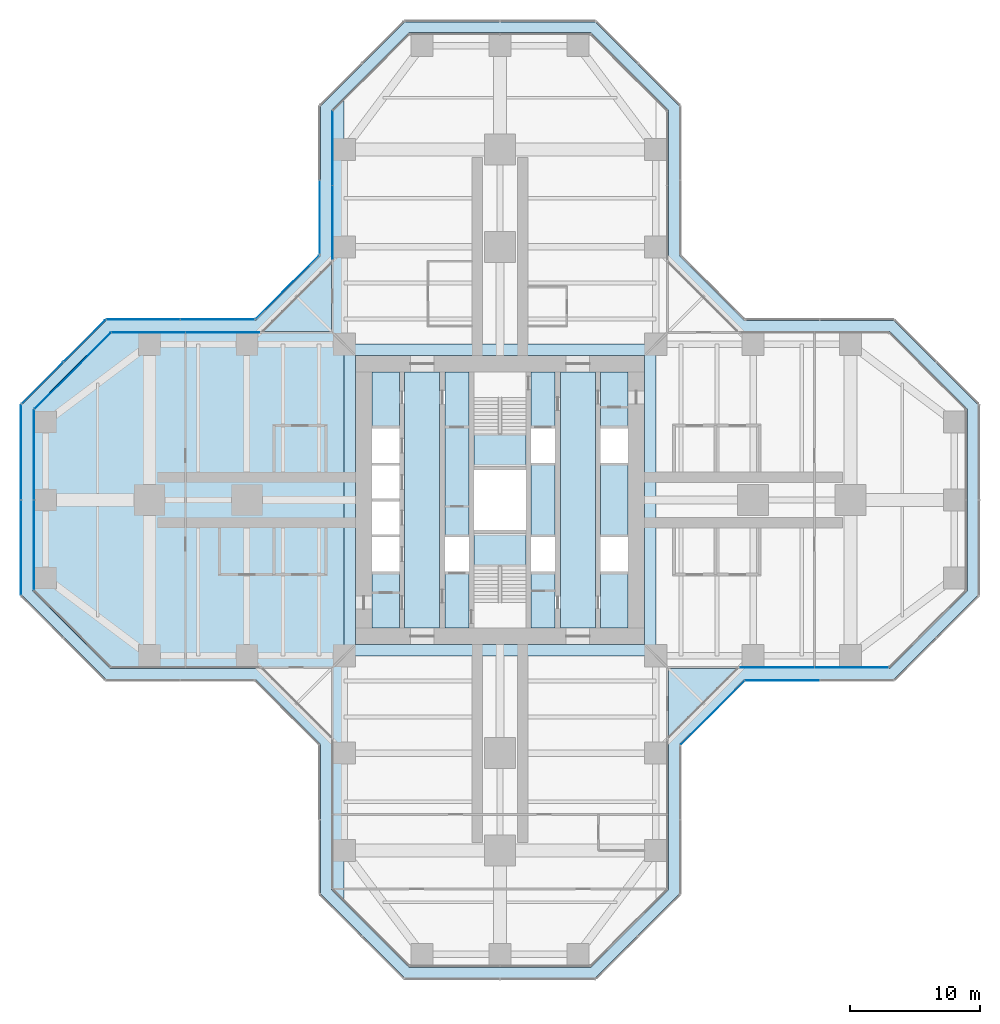
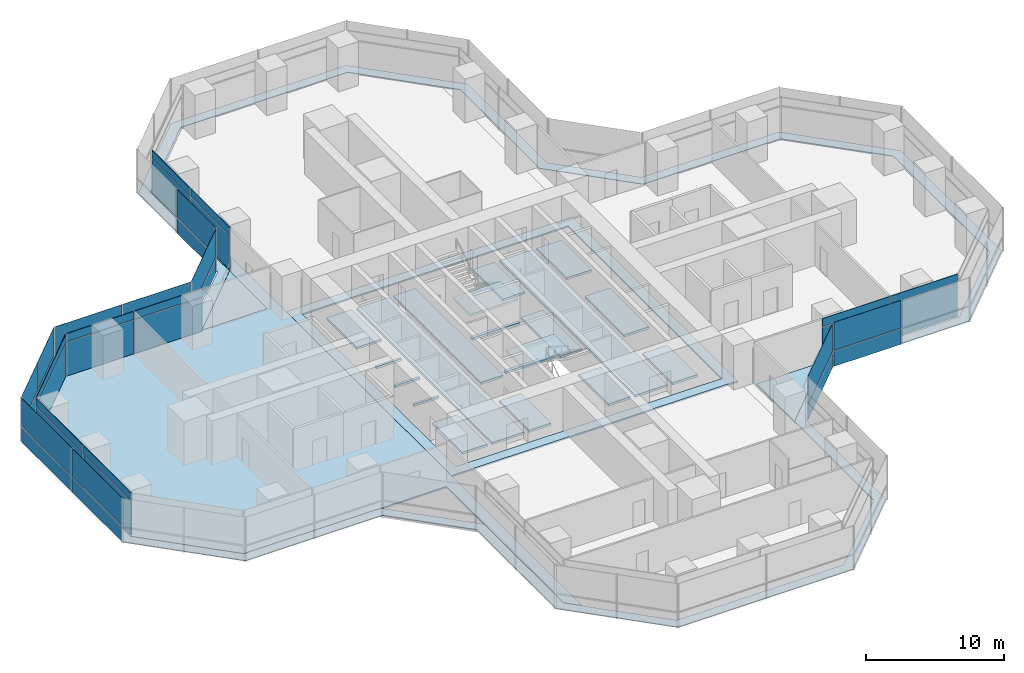
# One storey, part 15 of 22: 39 plates, 7 slabs, 14 elements without a shape of their own.
"""IFC4 building model written with IfcOpenShell, lengths in metres."""

from ifc_helpers import new_model, si_unit, direction, frame, origin, origin_2d, place, context, subcontext, project, spatial, polyline, rectangle, outline, extrude, material, layer, layer_set, type_object, element, aggregate, save


model = new_model("IFC4")

# Units and contexts
model_context = context("Model", 3, precision=1e-05, world=origin(), true_north=direction((0.0, 1.0)))
body_context = subcontext(model_context, "Body", "Model", "MODEL_VIEW")
ifc_project = project(units=[si_unit("LENGTHUNIT", "METRE"), si_unit("AREAUNIT", "SQUARE_METRE"), si_unit("VOLUMEUNIT", "CUBIC_METRE"), si_unit("PLANEANGLEUNIT", "RADIAN"), si_unit("MASSUNIT", "GRAM", prefix="KILO")], contexts=[model_context])

# Site, building, storey
site_placement = place(None, origin())
site = spatial("IfcSite", under=ifc_project, at=site_placement, CompositionType="ELEMENT")
building_placement = place(site_placement, origin())
building = spatial("IfcBuilding", under=site, at=building_placement, Name="Mizan Broadcast Tower", CompositionType="ELEMENT")
storey_placement = place(building_placement, frame((0.0, 0.0, 63.0)))
storey = spatial("IfcBuildingStorey", under=building, at=storey_placement, Name="L12", CompositionType="ELEMENT", Elevation=63.0)

# Plate
ifc_material_1 = material(Name="Aluminium grating", Category="aluminium")
ifc_layer_1 = layer(ifc_material_1, 0.050048828125)
ifc_layer_set_1 = layer_set([ifc_layer_1], Name="Aluminium grating")
plate_type_1 = type_object("IfcPlateType", Name="CAVITY GRATING", PredefinedType="USERDEFINED", material=ifc_layer_set_1)
plate_1_placement = place(storey_placement, frame((0.0, 0.0, -0.050048828125)))
element("IfcPlate", 1, at=plate_1_placement, inside=storey, type_object=plate_type_1, Name="Cavity grating L12", ObjectType="GRATING", PredefinedType="USERDEFINED", context=body_context, shape_type="SweptSolid", body=[
    extrude(outline(polyline([(13.820068359375, -18.839599609375), (18.839599609375, -13.820068359375), (30.339599609375, -13.820068359375), (36.820068359375, -7.339599609375), (36.820068359375, 7.339599609375), (30.339599609375, 13.820068359375), (18.839599609375, 13.820068359375), (13.820068359375, 18.839599609375), (13.820068359375, 30.339599609375), (7.339599609375, 36.820068359375), (-7.339599609375, 36.820068359375), (-13.820068359375, 30.339599609375), (-13.820068359375, 18.839599609375), (-18.839599609375, 13.820068359375), (-30.339599609375, 13.820068359375), (-36.820068359375, 7.339599609375), (-36.820068359375, -7.339599609375), (-30.339599609375, -13.820068359375), (-18.839599609375, -13.820068359375), (-13.820068359375, -18.839599609375), (-13.820068359375, -30.339599609375), (-7.339599609375, -36.820068359375), (7.339599609375, -36.820068359375), (13.820068359375, -30.339599609375), (13.820068359375, -18.839599609375)]), holes=[polyline([(36.0, 7.0), (36.0, -7.0), (30.0, -13.0), (18.5, -13.0), (13.0, -18.5), (13.0, -30.0), (7.0, -36.0), (-7.0, -36.0), (-13.0, -30.0), (-13.0, -18.5), (-18.5, -13.0), (-30.0, -13.0), (-36.0, -7.0), (-36.0, 7.0), (-30.0, 13.0), (-18.5, 13.0), (-13.0, 18.5), (-13.0, 30.0), (-7.0, 36.0), (7.0, 36.0), (13.0, 30.0), (13.0, 18.5), (18.5, 13.0), (30.0, 13.0), (36.0, 7.0)])]), origin(), (0.0, 0.0, 1.0), 0.050048828125),
])

# Slabs
ifc_material_2 = material(Name="Concrete C32/40", Category="concrete")
ifc_layer_2 = layer(ifc_material_2, 0.1298828125)
ifc_layer_set_2 = layer_set([ifc_layer_2], Name="Concrete C32/40")
slab_type_1 = type_object("IfcSlabType", Name="COMPOSITE DECK SLAB 130", PredefinedType="FLOOR", material=ifc_layer_set_2)
slab_1_placement = place(storey_placement, frame((0.0, 0.0, -0.1298828125)))
element("IfcSlab", 2, at=slab_1_placement, inside=storey, type_object=slab_type_1, Name="Floor slab L12 centre", PredefinedType="FLOOR", context=body_context, shape_type="SweptSolid", body=[
    extrude(outline(polyline([(-12.0, -12.0), (12.0, -12.0), (12.0, 12.0), (-12.0, 12.0), (-12.0, -12.0)]), holes=[polyline([(-11.14990234375, 11.14990234375), (11.14990234375, 11.14990234375), (11.14990234375, -11.14990234375), (-11.14990234375, -11.14990234375), (-11.14990234375, 11.14990234375)])]), origin(), (0.0, 0.0, 1.0), 0.1298828125),
])
slab_2_placement = place(storey_placement, frame((0.0, 0.0, -0.1298828125)))
element("IfcSlab", 3, at=slab_2_placement, inside=storey, type_object=slab_type_1, Name="Floor slab L12 west arm", PredefinedType="FLOOR", context=body_context, shape_type="SweptSolid", body=[
    extrude(outline(polyline([(-13.0, -30.0), (-12.0, -31.0), (-12.0, 31.0), (-13.0, 30.0), (-13.0, 13.0), (-30.0, 13.0), (-36.0, 7.0), (-36.0, -7.0), (-30.0, -13.0), (-13.0, -13.0), (-13.0, -30.0)])), origin(), (0.0, 0.0, 1.0), 0.1298828125),
])
ifc_material_3 = material(Name="Concrete C40/50", Category="concrete")
ifc_layer_3 = layer(ifc_material_3, 0.199951171875)
ifc_layer_set_3 = layer_set([ifc_layer_3], Name="Concrete C40/50")
slab_type_2 = type_object("IfcSlabType", Name="CORE FLOOR 200", PredefinedType="FLOOR", material=ifc_layer_set_3)
slab_3_placement = place(storey_placement, frame((0.0, 0.0, -0.199951171875)))
element("IfcSlab", 4, at=slab_3_placement, inside=storey, type_object=slab_type_2, Name="Core floor L12", PredefinedType="FLOOR", context=body_context, shape_type="SweptSolid", body=[
    extrude(outline(polyline([(-9.85009765625, -9.85009765625), (-7.75, -9.85009765625), (-7.75, -5.5), (-9.85009765625, -5.5), (-9.85009765625, -9.85009765625)])), origin(), (0.0, 0.0, 1.0), 0.199951171875),
    extrude(outline(polyline([(-9.85009765625, -2.85009765625), (-7.75, -2.85009765625), (-7.75, -2.64990234375), (-9.85009765625, -2.64990234375), (-9.85009765625, -2.85009765625)])), origin(), (0.0, 0.0, 1.0), 0.199951171875),
    extrude(outline(polyline([(-9.85009765625, -0.10009765625), (-7.75, -0.10009765625), (-7.75, 0.10009765625), (-9.85009765625, 0.10009765625), (-9.85009765625, -0.10009765625)])), origin(), (0.0, 0.0, 1.0), 0.199951171875),
    extrude(outline(polyline([(-9.85009765625, 2.64990234375), (-7.75, 2.64990234375), (-7.75, 2.85009765625), (-9.85009765625, 2.85009765625), (-9.85009765625, 2.64990234375)])), origin(), (0.0, 0.0, 1.0), 0.199951171875),
    extrude(outline(polyline([(-9.85009765625, 5.5), (-7.75, 5.5), (-7.75, 9.85009765625), (-9.85009765625, 9.85009765625), (-9.85009765625, 5.5)])), origin(), (0.0, 0.0, 1.0), 0.199951171875),
    extrude(outline(polyline([(-4.64990234375, 9.85009765625), (-7.35009765625, 9.85009765625), (-7.35009765625, -9.85009765625), (-4.64990234375, -9.85009765625), (-4.64990234375, 9.85009765625)])), origin(), (0.0, 0.0, 1.0), 0.199951171875),
    extrude(outline(polyline([(-4.25, -5.5), (-4.25, -9.85009765625), (-2.39990234375, -9.85009765625), (-2.39990234375, -5.5), (-4.25, -5.5)])), origin(), (0.0, 0.0, 1.0), 0.199951171875),
    extrude(outline(polyline([(-4.25, -2.85009765625), (-2.39990234375, -2.85009765625), (-2.39990234375, 9.85009765625), (-4.25, 9.85009765625), (-4.25, -2.85009765625)])), origin(), (0.0, 0.0, 1.0), 0.199951171875),
    extrude(outline(polyline([(2.0, -2.324951171875), (-2.0, -2.324951171875), (-2.0, -2.574951171875), (2.0, -2.574951171875), (2.0, -2.324951171875)])), origin(), (0.0, 0.0, 1.0), 0.199951171875),
    extrude(outline(polyline([(2.0, 2.574951171875), (-2.0, 2.574951171875), (-2.0, 2.324951171875), (2.0, 2.324951171875), (2.0, 2.574951171875)])), origin(), (0.0, 0.0, 1.0), 0.199951171875),
    extrude(outline(polyline([(4.25, -9.85009765625), (4.25, -5.5), (2.39990234375, -5.5), (2.39990234375, -9.85009765625), (4.25, -9.85009765625)])), origin(), (0.0, 0.0, 1.0), 0.199951171875),
    extrude(outline(polyline([(4.25, -2.85009765625), (4.25, 2.85009765625), (2.39990234375, 2.85009765625), (2.39990234375, -2.85009765625), (4.25, -2.85009765625)])), origin(), (0.0, 0.0, 1.0), 0.199951171875),
    extrude(outline(polyline([(4.25, 5.5), (4.25, 9.85009765625), (2.39990234375, 9.85009765625), (2.39990234375, 5.5), (4.25, 5.5)])), origin(), (0.0, 0.0, 1.0), 0.199951171875),
    extrude(outline(polyline([(4.64990234375, 9.85009765625), (4.64990234375, -9.85009765625), (7.35009765625, -9.85009765625), (7.35009765625, 9.85009765625), (4.64990234375, 9.85009765625)])), origin(), (0.0, 0.0, 1.0), 0.199951171875),
    extrude(outline(polyline([(9.85009765625, -9.85009765625), (9.85009765625, -5.5), (7.75, -5.5), (7.75, -9.85009765625), (9.85009765625, -9.85009765625)])), origin(), (0.0, 0.0, 1.0), 0.199951171875),
    extrude(outline(polyline([(7.75, 2.85009765625), (7.75, -2.85009765625), (9.85009765625, -2.85009765625), (9.85009765625, 2.85009765625), (7.75, 2.85009765625)])), origin(), (0.0, 0.0, 1.0), 0.199951171875),
    extrude(outline(polyline([(9.85009765625, 5.5), (9.85009765625, 9.85009765625), (7.75, 9.85009765625), (7.75, 5.5), (9.85009765625, 5.5)])), origin(), (0.0, 0.0, 1.0), 0.199951171875),
])

# Curtain wall, plates
ifc_material_4 = material(Name="Aluminium framed glazing", Category="aluminium")
curtain_wall_type_1 = type_object("IfcCurtainWallType", Name="INNER SKIN LOW ZONE", PredefinedType="USERDEFINED", material=ifc_material_4)
curtain_wall_1_placement = place(storey_placement, origin())
curtain_wall_1 = element("IfcCurtainWall", 5, at=curtain_wall_1_placement, inside=storey, type_object=curtain_wall_type_1, Name="Inner skin low zone L12 E side", ObjectType="INNER SKIN LOW ZONE", PredefinedType="USERDEFINED")
ifc_material_5 = material(Name="Double glazing, clear low-e", Category="glass")
ifc_layer_4 = layer(ifc_material_5, 0.028076171875)
ifc_layer_set_4 = layer_set([ifc_layer_4], Name="Double glazing, clear low-e")
plate_type_2 = type_object("IfcPlateType", Name="INNER SKIN GLAZING UNIT", PredefinedType="CURTAIN_PANEL", material=ifc_layer_set_4)
plate_2_placement = place(storey_placement, frame((21.379638671875, -12.89990234375, 0.0), z_axis=(0.0, 0.0, 1.0), x_axis=(1.0, 0.0, 0.0)))
plate_2 = element("IfcPlate", 6, at=plate_2_placement, type_object=plate_type_2, Name="Inner skin low zone L12 E side panel 1.1", PredefinedType="CURTAIN_PANEL", context=body_context, shape_type="SweptSolid", body=[
    extrude(rectangle(XDim=5.639404296875, YDim=0.028076171875, at=origin_2d()), origin(), (0.0, 0.0, 1.0), 3.0),
])
plate_3_placement = place(storey_placement, frame((27.078857421875, -12.89990234375, 0.0), z_axis=(0.0, 0.0, 1.0), x_axis=(1.0, 0.0, 0.0)))
plate_3 = element("IfcPlate", 7, at=plate_3_placement, type_object=plate_type_2, Name="Inner skin low zone L12 E side panel 2.1", PredefinedType="CURTAIN_PANEL", context=body_context, shape_type="SweptSolid", body=[
    extrude(rectangle(XDim=5.639404296875, YDim=0.028076171875, at=origin_2d()), origin(), (0.0, 0.0, 1.0), 3.0),
])

curtain_wall_2_placement = place(storey_placement, origin())
curtain_wall_2 = element("IfcCurtainWall", 8, at=curtain_wall_2_placement, inside=storey, type_object=curtain_wall_type_1, Name="Inner skin low zone L12 N side", ObjectType="INNER SKIN LOW ZONE", PredefinedType="USERDEFINED")
plate_4_placement = place(storey_placement, frame((-12.89990234375, 27.078857421875, 0.0), z_axis=(0.0, 0.0, 1.0), x_axis=(0.0, -1.0, 0.0)))
plate_4 = element("IfcPlate", 9, at=plate_4_placement, type_object=plate_type_2, Name="Inner skin low zone L12 N side panel 1.1", PredefinedType="CURTAIN_PANEL", context=body_context, shape_type="SweptSolid", body=[
    extrude(rectangle(XDim=5.639404296875, YDim=0.028076171875, at=origin_2d()), origin(), (0.0, 0.0, 1.0), 3.0),
])
plate_5_placement = place(storey_placement, frame((-12.89990234375, 21.379638671875, 0.0), z_axis=(0.0, 0.0, 1.0), x_axis=(0.0, -1.0, 0.0)))
plate_5 = element("IfcPlate", 10, at=plate_5_placement, type_object=plate_type_2, Name="Inner skin low zone L12 N side panel 2.1", PredefinedType="CURTAIN_PANEL", context=body_context, shape_type="SweptSolid", body=[
    extrude(rectangle(XDim=5.639404296875, YDim=0.028076171875, at=origin_2d()), origin(), (0.0, 0.0, 1.0), 3.0),
])

curtain_wall_3_placement = place(storey_placement, origin())
curtain_wall_3 = element("IfcCurtainWall", 11, at=curtain_wall_3_placement, inside=storey, type_object=curtain_wall_type_1, Name="Inner skin low zone L12 W side", ObjectType="INNER SKIN LOW ZONE", PredefinedType="USERDEFINED")
plate_6_placement = place(storey_placement, frame((-21.379638671875, 12.89990234375, 0.0), z_axis=(0.0, 0.0, 1.0), x_axis=(-1.0, 0.0, 0.0)))
plate_6 = element("IfcPlate", 12, at=plate_6_placement, type_object=plate_type_2, Name="Inner skin low zone L12 W side panel 1.1", PredefinedType="CURTAIN_PANEL", context=body_context, shape_type="SweptSolid", body=[
    extrude(rectangle(XDim=5.639404296875, YDim=0.028076171875, at=origin_2d()), origin(), (0.0, 0.0, 1.0), 3.0),
])
plate_7_placement = place(storey_placement, frame((-27.078857421875, 12.89990234375, 0.0), z_axis=(0.0, 0.0, 1.0), x_axis=(-1.0, 0.0, 0.0)))
plate_7 = element("IfcPlate", 13, at=plate_7_placement, type_object=plate_type_2, Name="Inner skin low zone L12 W side panel 2.1", PredefinedType="CURTAIN_PANEL", context=body_context, shape_type="SweptSolid", body=[
    extrude(rectangle(XDim=5.639404296875, YDim=0.028076171875, at=origin_2d()), origin(), (0.0, 0.0, 1.0), 3.0),
])

# Curtain wall, plate
curtain_wall_4_placement = place(storey_placement, origin())
curtain_wall_4 = element("IfcCurtainWall", 14, at=curtain_wall_4_placement, inside=storey, type_object=curtain_wall_type_1, Name="Inner skin low zone L12 W chamfer", ObjectType="INNER SKIN LOW ZONE", PredefinedType="USERDEFINED")
plate_8_placement = place(storey_placement, frame((-32.92919921875, 9.92919921875, 0.0), z_axis=(0.0, 0.0, 1.0), x_axis=(-0.707106781187, -0.707106781187, 0.0)))
plate_8 = element("IfcPlate", 15, at=plate_8_placement, type_object=plate_type_2, Name="Inner skin low zone L12 W chamfer panel 1.1", PredefinedType="CURTAIN_PANEL", context=body_context, shape_type="SweptSolid", body=[
    extrude(rectangle(XDim=8.282470703125, YDim=0.028076171875, at=origin_2d()), origin(), (0.0, 0.0, 1.0), 3.0),
])

# Curtain wall, plates
curtain_wall_5_placement = place(storey_placement, origin())
curtain_wall_5 = element("IfcCurtainWall", 16, at=curtain_wall_5_placement, inside=storey, type_object=curtain_wall_type_1, Name="Inner skin low zone L12 W end", ObjectType="INNER SKIN LOW ZONE", PredefinedType="USERDEFINED")
plate_9_placement = place(storey_placement, frame((-35.89990234375, 3.46435546875, 0.0), z_axis=(0.0, 0.0, 1.0), x_axis=(0.0, -1.0, 0.0)))
plate_9 = element("IfcPlate", 17, at=plate_9_placement, type_object=plate_type_2, Name="Inner skin low zone L12 W end panel 1.1", PredefinedType="CURTAIN_PANEL", context=body_context, shape_type="SweptSolid", body=[
    extrude(rectangle(XDim=6.86865234375, YDim=0.028076171875, at=origin_2d()), origin(), (0.0, 0.0, 1.0), 3.0),
])
plate_10_placement = place(storey_placement, frame((-35.89990234375, -3.46435546875, 0.0), z_axis=(0.0, 0.0, 1.0), x_axis=(0.0, -1.0, 0.0)))
plate_10 = element("IfcPlate", 18, at=plate_10_placement, type_object=plate_type_2, Name="Inner skin low zone L12 W end panel 2.1", PredefinedType="CURTAIN_PANEL", context=body_context, shape_type="SweptSolid", body=[
    extrude(rectangle(XDim=6.86865234375, YDim=0.028076171875, at=origin_2d()), origin(), (0.0, 0.0, 1.0), 3.0),
])

# Plate
ifc_material_6 = material(Name="Insulated aluminium spandrel panel, pale anodised", Category="aluminium")
ifc_layer_5 = layer(ifc_material_6, 0.050048828125)
ifc_layer_set_5 = layer_set([ifc_layer_5], Name="Insulated aluminium spandrel panel, pale anodised")
plate_type_3 = type_object("IfcPlateType", Name="INNER SKIN SPANDREL PANEL", PredefinedType="CURTAIN_PANEL", material=ifc_layer_set_5)
plate_11_placement = place(storey_placement, frame((21.379638671875, -12.89990234375, 3.06005859375), z_axis=(0.0, 0.0, 1.0), x_axis=(1.0, 0.0, 0.0)))
plate_11 = element("IfcPlate", 19, at=plate_11_placement, type_object=plate_type_3, Name="Inner skin low zone L12 E side panel 1.2", PredefinedType="CURTAIN_PANEL", context=body_context, shape_type="SweptSolid", body=[
    extrude(rectangle(XDim=5.639404296875, YDim=0.050048828125, at=origin_2d()), origin(), (0.0, 0.0, 1.0), 0.7099609375),
])

plate_12_placement = place(storey_placement, frame((27.078857421875, -12.89990234375, 3.06005859375), z_axis=(0.0, 0.0, 1.0), x_axis=(1.0, 0.0, 0.0)))
plate_12 = element("IfcPlate", 20, at=plate_12_placement, type_object=plate_type_3, Name="Inner skin low zone L12 E side panel 2.2", PredefinedType="CURTAIN_PANEL", context=body_context, shape_type="SweptSolid", body=[
    extrude(rectangle(XDim=5.639404296875, YDim=0.050048828125, at=origin_2d()), origin(), (0.0, 0.0, 1.0), 0.7099609375),
])

aggregate(curtain_wall_1, [plate_2, plate_11, plate_3, plate_12])

plate_13_placement = place(storey_placement, frame((-12.89990234375, 27.078857421875, 3.06005859375), z_axis=(0.0, 0.0, 1.0), x_axis=(0.0, -1.0, 0.0)))
plate_13 = element("IfcPlate", 21, at=plate_13_placement, type_object=plate_type_3, Name="Inner skin low zone L12 N side panel 1.2", PredefinedType="CURTAIN_PANEL", context=body_context, shape_type="SweptSolid", body=[
    extrude(rectangle(XDim=5.639404296875, YDim=0.050048828125, at=origin_2d()), origin(), (0.0, 0.0, 1.0), 0.7099609375),
])

plate_14_placement = place(storey_placement, frame((-12.89990234375, 21.379638671875, 3.06005859375), z_axis=(0.0, 0.0, 1.0), x_axis=(0.0, -1.0, 0.0)))
plate_14 = element("IfcPlate", 22, at=plate_14_placement, type_object=plate_type_3, Name="Inner skin low zone L12 N side panel 2.2", PredefinedType="CURTAIN_PANEL", context=body_context, shape_type="SweptSolid", body=[
    extrude(rectangle(XDim=5.639404296875, YDim=0.050048828125, at=origin_2d()), origin(), (0.0, 0.0, 1.0), 0.7099609375),
])

aggregate(curtain_wall_2, [plate_4, plate_13, plate_5, plate_14])

plate_15_placement = place(storey_placement, frame((-21.379638671875, 12.89990234375, 3.06005859375), z_axis=(0.0, 0.0, 1.0), x_axis=(-1.0, 0.0, 0.0)))
plate_15 = element("IfcPlate", 23, at=plate_15_placement, type_object=plate_type_3, Name="Inner skin low zone L12 W side panel 1.2", PredefinedType="CURTAIN_PANEL", context=body_context, shape_type="SweptSolid", body=[
    extrude(rectangle(XDim=5.639404296875, YDim=0.050048828125, at=origin_2d()), origin(), (0.0, 0.0, 1.0), 0.7099609375),
])

plate_16_placement = place(storey_placement, frame((-27.078857421875, 12.89990234375, 3.06005859375), z_axis=(0.0, 0.0, 1.0), x_axis=(-1.0, 0.0, 0.0)))
plate_16 = element("IfcPlate", 24, at=plate_16_placement, type_object=plate_type_3, Name="Inner skin low zone L12 W side panel 2.2", PredefinedType="CURTAIN_PANEL", context=body_context, shape_type="SweptSolid", body=[
    extrude(rectangle(XDim=5.639404296875, YDim=0.050048828125, at=origin_2d()), origin(), (0.0, 0.0, 1.0), 0.7099609375),
])

aggregate(curtain_wall_3, [plate_6, plate_15, plate_7, plate_16])

plate_17_placement = place(storey_placement, frame((-32.92919921875, 9.92919921875, 3.06005859375), z_axis=(0.0, 0.0, 1.0), x_axis=(-0.707106781187, -0.707106781187, 0.0)))
plate_17 = element("IfcPlate", 25, at=plate_17_placement, type_object=plate_type_3, Name="Inner skin low zone L12 W chamfer panel 1.2", PredefinedType="CURTAIN_PANEL", context=body_context, shape_type="SweptSolid", body=[
    extrude(rectangle(XDim=8.282470703125, YDim=0.050048828125, at=origin_2d()), origin(), (0.0, 0.0, 1.0), 0.7099609375),
])

aggregate(curtain_wall_4, [plate_8, plate_17])

plate_18_placement = place(storey_placement, frame((-35.89990234375, 3.46435546875, 3.06005859375), z_axis=(0.0, 0.0, 1.0), x_axis=(0.0, -1.0, 0.0)))
plate_18 = element("IfcPlate", 26, at=plate_18_placement, type_object=plate_type_3, Name="Inner skin low zone L12 W end panel 1.2", PredefinedType="CURTAIN_PANEL", context=body_context, shape_type="SweptSolid", body=[
    extrude(rectangle(XDim=6.86865234375, YDim=0.050048828125, at=origin_2d()), origin(), (0.0, 0.0, 1.0), 0.7099609375),
])

plate_19_placement = place(storey_placement, frame((-35.89990234375, -3.46435546875, 3.06005859375), z_axis=(0.0, 0.0, 1.0), x_axis=(0.0, -1.0, 0.0)))
plate_19 = element("IfcPlate", 27, at=plate_19_placement, type_object=plate_type_3, Name="Inner skin low zone L12 W end panel 2.2", PredefinedType="CURTAIN_PANEL", context=body_context, shape_type="SweptSolid", body=[
    extrude(rectangle(XDim=6.86865234375, YDim=0.050048828125, at=origin_2d()), origin(), (0.0, 0.0, 1.0), 0.7099609375),
])

aggregate(curtain_wall_5, [plate_9, plate_18, plate_10, plate_19])

# Curtain wall, plates
ifc_material_7 = material(Name="Aluminium framed glazing", Category="aluminium")
curtain_wall_type_2 = type_object("IfcCurtainWallType", Name="OUTER SKIN", PredefinedType="USERDEFINED", material=ifc_material_7)
curtain_wall_6_placement = place(storey_placement, origin())
curtain_wall_6 = element("IfcCurtainWall", 28, at=curtain_wall_6_placement, inside=storey, type_object=curtain_wall_type_2, Name="Outer skin L12 W chamfer", ObjectType="OUTER SKIN", PredefinedType="USERDEFINED")
ifc_material_8 = material(Name="Laminated clear glass", Category="glass")
ifc_layer_6 = layer(ifc_material_8, 0.02001953125)
ifc_layer_set_6 = layer_set([ifc_layer_6], Name="Laminated clear glass")
plate_type_4 = type_object("IfcPlateType", Name="OUTER SKIN CLEAR GLASS", PredefinedType="CURTAIN_PANEL", material=ifc_layer_set_6)
plate_20_placement = place(storey_placement, frame((-16.386474609375, 16.386474609375, 0.0), z_axis=(0.0, 0.0, 1.0), x_axis=(-0.707106781187, -0.707106781187, 0.0)))
plate_20 = element("IfcPlate", 29, at=plate_20_placement, type_object=plate_type_4, Name="Outer skin L12 W chamfer panel 1.1", PredefinedType="CURTAIN_PANEL", context=body_context, shape_type="SweptSolid", body=[
    extrude(rectangle(XDim=6.87255859375, YDim=0.02001953125, at=origin_2d()), origin(), (0.0, 0.0, 1.0), 1.3701171875),
])
plate_21_placement = place(storey_placement, frame((-16.386474609375, 16.386474609375, 1.43017578125), z_axis=(0.0, 0.0, 1.0), x_axis=(-0.707106781187, -0.707106781187, 0.0)))
plate_21 = element("IfcPlate", 30, at=plate_21_placement, type_object=plate_type_4, Name="Outer skin L12 W chamfer panel 1.2", PredefinedType="CURTAIN_PANEL", context=body_context, shape_type="SweptSolid", body=[
    extrude(rectangle(XDim=6.87255859375, YDim=0.02001953125, at=origin_2d()), origin(), (0.0, 0.0, 1.0), 2.469970703125),
])
aggregate(curtain_wall_6, [plate_20, plate_21])

curtain_wall_7_placement = place(storey_placement, origin())
curtain_wall_7 = element("IfcCurtainWall", 31, at=curtain_wall_7_placement, inside=storey, type_object=curtain_wall_type_2, Name="Outer skin L12 W side", ObjectType="OUTER SKIN", PredefinedType="USERDEFINED")
plate_22_placement = place(storey_placement, frame((-21.767822265625, 13.89990234375, 0.0), z_axis=(0.0, 0.0, 1.0), x_axis=(-1.0, 0.0, 0.0)))
plate_22 = element("IfcPlate", 32, at=plate_22_placement, type_object=plate_type_4, Name="Outer skin L12 W side panel 1.1", PredefinedType="CURTAIN_PANEL", context=body_context, shape_type="SweptSolid", body=[
    extrude(rectangle(XDim=5.6298828125, YDim=0.02001953125, at=origin_2d()), origin(), (0.0, 0.0, 1.0), 1.3701171875),
])
plate_23_placement = place(storey_placement, frame((-21.767822265625, 13.89990234375, 1.43017578125), z_axis=(0.0, 0.0, 1.0), x_axis=(-1.0, 0.0, 0.0)))
plate_23 = element("IfcPlate", 33, at=plate_23_placement, type_object=plate_type_4, Name="Outer skin L12 W side panel 1.2", PredefinedType="CURTAIN_PANEL", context=body_context, shape_type="SweptSolid", body=[
    extrude(rectangle(XDim=5.6298828125, YDim=0.02001953125, at=origin_2d()), origin(), (0.0, 0.0, 1.0), 2.469970703125),
])
plate_24_placement = place(storey_placement, frame((-27.477783203125, 13.89990234375, 0.0), z_axis=(0.0, 0.0, 1.0), x_axis=(-1.0, 0.0, 0.0)))
plate_24 = element("IfcPlate", 34, at=plate_24_placement, type_object=plate_type_4, Name="Outer skin L12 W side panel 2.1", PredefinedType="CURTAIN_PANEL", context=body_context, shape_type="SweptSolid", body=[
    extrude(rectangle(XDim=5.6298828125, YDim=0.02001953125, at=origin_2d()), origin(), (0.0, 0.0, 1.0), 1.3701171875),
])
plate_25_placement = place(storey_placement, frame((-27.477783203125, 13.89990234375, 1.43017578125), z_axis=(0.0, 0.0, 1.0), x_axis=(-1.0, 0.0, 0.0)))
plate_25 = element("IfcPlate", 35, at=plate_25_placement, type_object=plate_type_4, Name="Outer skin L12 W side panel 2.2", PredefinedType="CURTAIN_PANEL", context=body_context, shape_type="SweptSolid", body=[
    extrude(rectangle(XDim=5.6298828125, YDim=0.02001953125, at=origin_2d()), origin(), (0.0, 0.0, 1.0), 2.469970703125),
])
aggregate(curtain_wall_7, [plate_22, plate_23, plate_24, plate_25])

curtain_wall_8_placement = place(storey_placement, origin())
curtain_wall_8 = element("IfcCurtainWall", 36, at=curtain_wall_8_placement, inside=storey, type_object=curtain_wall_type_2, Name="Outer skin L12 W chamfer", ObjectType="OUTER SKIN", PredefinedType="USERDEFINED")
plate_26_placement = place(storey_placement, frame((-32.018798828125, 12.254150390625, 0.0), z_axis=(0.0, 0.0, 1.0), x_axis=(-0.707106781187, -0.707106781187, 0.0)))
plate_26 = element("IfcPlate", 37, at=plate_26_placement, type_object=plate_type_4, Name="Outer skin L12 W chamfer panel 1.1", PredefinedType="CURTAIN_PANEL", context=body_context, shape_type="SweptSolid", body=[
    extrude(rectangle(XDim=4.495361328125, YDim=0.02001953125, at=origin_2d()), origin(), (0.0, 0.0, 1.0), 1.3701171875),
])
plate_27_placement = place(storey_placement, frame((-32.018798828125, 12.254150390625, 1.43017578125), z_axis=(0.0, 0.0, 1.0), x_axis=(-0.707106781187, -0.707106781187, 0.0)))
plate_27 = element("IfcPlate", 38, at=plate_27_placement, type_object=plate_type_4, Name="Outer skin L12 W chamfer panel 1.2", PredefinedType="CURTAIN_PANEL", context=body_context, shape_type="SweptSolid", body=[
    extrude(rectangle(XDim=4.495361328125, YDim=0.02001953125, at=origin_2d()), origin(), (0.0, 0.0, 1.0), 2.469970703125),
])

curtain_wall_9_placement = place(storey_placement, origin())
curtain_wall_9 = element("IfcCurtainWall", 39, at=curtain_wall_9_placement, inside=storey, type_object=curtain_wall_type_2, Name="Outer skin L12 W end", ObjectType="OUTER SKIN", PredefinedType="USERDEFINED")
plate_28_placement = place(storey_placement, frame((-36.89990234375, 3.66650390625, 0.0), z_axis=(0.0, 0.0, 1.0), x_axis=(0.0, -1.0, 0.0)))
plate_28 = element("IfcPlate", 40, at=plate_28_placement, type_object=plate_type_4, Name="Outer skin L12 W end panel 1.1", PredefinedType="CURTAIN_PANEL", context=body_context, shape_type="SweptSolid", body=[
    extrude(rectangle(XDim=7.252685546875, YDim=0.02001953125, at=origin_2d()), origin(), (0.0, 0.0, 1.0), 1.3701171875),
])
plate_29_placement = place(storey_placement, frame((-36.89990234375, 3.66650390625, 1.43017578125), z_axis=(0.0, 0.0, 1.0), x_axis=(0.0, -1.0, 0.0)))
plate_29 = element("IfcPlate", 41, at=plate_29_placement, type_object=plate_type_4, Name="Outer skin L12 W end panel 1.2", PredefinedType="CURTAIN_PANEL", context=body_context, shape_type="SweptSolid", body=[
    extrude(rectangle(XDim=7.252685546875, YDim=0.02001953125, at=origin_2d()), origin(), (0.0, 0.0, 1.0), 2.469970703125),
])

curtain_wall_10_placement = place(storey_placement, origin())
curtain_wall_10 = element("IfcCurtainWall", 42, at=curtain_wall_10_placement, inside=storey, type_object=curtain_wall_type_2, Name="Outer skin L12 E chamfer", ObjectType="OUTER SKIN", PredefinedType="USERDEFINED")
plate_30_placement = place(storey_placement, frame((16.386474609375, -16.386474609375, 0.0), z_axis=(0.0, 0.0, 1.0), x_axis=(0.707106781187, 0.707106781187, 0.0)))
plate_30 = element("IfcPlate", 43, at=plate_30_placement, type_object=plate_type_4, Name="Outer skin L12 E chamfer panel 1.1", PredefinedType="CURTAIN_PANEL", context=body_context, shape_type="SweptSolid", body=[
    extrude(rectangle(XDim=6.87255859375, YDim=0.02001953125, at=origin_2d()), origin(), (0.0, 0.0, 1.0), 1.3701171875),
])
plate_31_placement = place(storey_placement, frame((16.386474609375, -16.386474609375, 1.43017578125), z_axis=(0.0, 0.0, 1.0), x_axis=(0.707106781187, 0.707106781187, 0.0)))
plate_31 = element("IfcPlate", 44, at=plate_31_placement, type_object=plate_type_4, Name="Outer skin L12 E chamfer panel 1.2", PredefinedType="CURTAIN_PANEL", context=body_context, shape_type="SweptSolid", body=[
    extrude(rectangle(XDim=6.87255859375, YDim=0.02001953125, at=origin_2d()), origin(), (0.0, 0.0, 1.0), 2.469970703125),
])
aggregate(curtain_wall_10, [plate_30, plate_31])

curtain_wall_11_placement = place(storey_placement, origin())
curtain_wall_11 = element("IfcCurtainWall", 45, at=curtain_wall_11_placement, inside=storey, type_object=curtain_wall_type_2, Name="Outer skin L12 E side", ObjectType="OUTER SKIN", PredefinedType="USERDEFINED")
plate_32_placement = place(storey_placement, frame((21.767822265625, -13.89990234375, 0.0), z_axis=(0.0, 0.0, 1.0), x_axis=(1.0, 0.0, 0.0)))
plate_32 = element("IfcPlate", 46, at=plate_32_placement, type_object=plate_type_4, Name="Outer skin L12 E side panel 1.1", PredefinedType="CURTAIN_PANEL", context=body_context, shape_type="SweptSolid", body=[
    extrude(rectangle(XDim=5.6298828125, YDim=0.02001953125, at=origin_2d()), origin(), (0.0, 0.0, 1.0), 1.3701171875),
])
plate_33_placement = place(storey_placement, frame((21.767822265625, -13.89990234375, 1.43017578125), z_axis=(0.0, 0.0, 1.0), x_axis=(1.0, 0.0, 0.0)))
plate_33 = element("IfcPlate", 47, at=plate_33_placement, type_object=plate_type_4, Name="Outer skin L12 E side panel 1.2", PredefinedType="CURTAIN_PANEL", context=body_context, shape_type="SweptSolid", body=[
    extrude(rectangle(XDim=5.6298828125, YDim=0.02001953125, at=origin_2d()), origin(), (0.0, 0.0, 1.0), 2.469970703125),
])
aggregate(curtain_wall_11, [plate_32, plate_33])

curtain_wall_12_placement = place(storey_placement, origin())
curtain_wall_12 = element("IfcCurtainWall", 48, at=curtain_wall_12_placement, inside=storey, type_object=curtain_wall_type_2, Name="Outer skin L12 N side", ObjectType="OUTER SKIN", PredefinedType="USERDEFINED")
ifc_material_9 = material(Name="Perforated aluminium, pale anodised", Category="aluminium")
ifc_layer_7 = layer(ifc_material_9, 0.011962890625)
ifc_layer_set_7 = layer_set([ifc_layer_7], Name="Perforated aluminium, pale anodised")
plate_type_5 = type_object("IfcPlateType", Name="OUTER SKIN PERFORATED SCREEN", PredefinedType="USERDEFINED", material=ifc_layer_set_7)
plate_34_placement = place(storey_placement, frame((-13.89990234375, 21.767822265625, 0.0), z_axis=(0.0, 0.0, 1.0), x_axis=(0.0, -1.0, 0.0)))
plate_34 = element("IfcPlate", 49, at=plate_34_placement, type_object=plate_type_5, Name="Outer skin L12 N side panel 2.1", ObjectType="SCREEN", PredefinedType="USERDEFINED", context=body_context, shape_type="SweptSolid", body=[
    extrude(rectangle(XDim=5.6298828125, YDim=0.011962890625, at=origin_2d()), origin(), (0.0, 0.0, 1.0), 1.3701171875),
])
plate_35_placement = place(storey_placement, frame((-13.89990234375, 21.767822265625, 1.43017578125), z_axis=(0.0, 0.0, 1.0), x_axis=(0.0, -1.0, 0.0)))
plate_35 = element("IfcPlate", 50, at=plate_35_placement, type_object=plate_type_5, Name="Outer skin L12 N side panel 2.2", ObjectType="SCREEN", PredefinedType="USERDEFINED", context=body_context, shape_type="SweptSolid", body=[
    extrude(rectangle(XDim=5.6298828125, YDim=0.011962890625, at=origin_2d()), origin(), (0.0, 0.0, 1.0), 2.469970703125),
])
aggregate(curtain_wall_12, [plate_34, plate_35])

# Plate
plate_36_placement = place(storey_placement, frame((-35.254150390625, 9.018798828125, 0.0), z_axis=(0.0, 0.0, 1.0), x_axis=(-0.707106781187, -0.707106781187, 0.0)))
plate_36 = element("IfcPlate", 51, at=plate_36_placement, type_object=plate_type_5, Name="Outer skin L12 W chamfer panel 2.1", ObjectType="SCREEN", PredefinedType="USERDEFINED", context=body_context, shape_type="SweptSolid", body=[
    extrude(rectangle(XDim=4.495361328125, YDim=0.011962890625, at=origin_2d()), origin(), (0.0, 0.0, 1.0), 1.3701171875),
])

plate_37_placement = place(storey_placement, frame((-35.254150390625, 9.018798828125, 1.43017578125), z_axis=(0.0, 0.0, 1.0), x_axis=(-0.707106781187, -0.707106781187, 0.0)))
plate_37 = element("IfcPlate", 52, at=plate_37_placement, type_object=plate_type_5, Name="Outer skin L12 W chamfer panel 2.2", ObjectType="SCREEN", PredefinedType="USERDEFINED", context=body_context, shape_type="SweptSolid", body=[
    extrude(rectangle(XDim=4.495361328125, YDim=0.011962890625, at=origin_2d()), origin(), (0.0, 0.0, 1.0), 2.469970703125),
])

aggregate(curtain_wall_8, [plate_26, plate_27, plate_36, plate_37])

plate_38_placement = place(storey_placement, frame((-36.89990234375, -3.66650390625, 0.0), z_axis=(0.0, 0.0, 1.0), x_axis=(0.0, -1.0, 0.0)))
plate_38 = element("IfcPlate", 53, at=plate_38_placement, type_object=plate_type_5, Name="Outer skin L12 W end panel 2.1", ObjectType="SCREEN", PredefinedType="USERDEFINED", context=body_context, shape_type="SweptSolid", body=[
    extrude(rectangle(XDim=7.252685546875, YDim=0.011962890625, at=origin_2d()), origin(), (0.0, 0.0, 1.0), 1.3701171875),
])

plate_39_placement = place(storey_placement, frame((-36.89990234375, -3.66650390625, 1.43017578125), z_axis=(0.0, 0.0, 1.0), x_axis=(0.0, -1.0, 0.0)))
plate_39 = element("IfcPlate", 54, at=plate_39_placement, type_object=plate_type_5, Name="Outer skin L12 W end panel 2.2", ObjectType="SCREEN", PredefinedType="USERDEFINED", context=body_context, shape_type="SweptSolid", body=[
    extrude(rectangle(XDim=7.252685546875, YDim=0.011962890625, at=origin_2d()), origin(), (0.0, 0.0, 1.0), 2.469970703125),
])

aggregate(curtain_wall_9, [plate_28, plate_29, plate_38, plate_39])

# Stair, slab
ifc_material_10 = material(Name="Concrete C40/50", Category="concrete")
stair_type = type_object("IfcStairType", Name="EXIT STAIR", PredefinedType="HALF_TURN_STAIR", material=ifc_material_10)
stair_1_placement = place(storey_placement, origin())
stair_1 = element("IfcStair", 55, at=stair_1_placement, inside=storey, type_object=stair_type, Name="Stair A L12", PredefinedType="HALF_TURN_STAIR")
ifc_material_11 = material(Name="Concrete C40/50", Category="concrete")
ifc_layer_8 = layer(ifc_material_11, 0.199951171875)
ifc_layer_set_8 = layer_set([ifc_layer_8], Name="Concrete C40/50")
slab_type_3 = type_object("IfcSlabType", Name="STAIR LANDING 200", PredefinedType="LANDING", material=ifc_layer_set_8)
slab_4_placement = place(storey_placement, frame((0.0, 0.0, 1.75)))
slab_4 = element("IfcSlab", 56, at=slab_4_placement, type_object=slab_type_3, Name="A landing 2", PredefinedType="LANDING", context=body_context, shape_type="SweptSolid", body=[
    extrude(outline(polyline([(-2.0, -5.10009765625), (-2.0, -2.574951171875), (2.0, -2.574951171875), (2.0, -5.10009765625), (-2.0, -5.10009765625)])), origin(), (0.0, 0.0, 1.0), 0.199951171875),
])
aggregate(stair_1, [slab_4])

stair_2_placement = place(storey_placement, origin())
stair_2 = element("IfcStair", 57, at=stair_2_placement, inside=storey, type_object=stair_type, Name="Stair B L12", PredefinedType="HALF_TURN_STAIR")
slab_5_placement = place(storey_placement, frame((0.0, 0.0, 1.75)))
slab_5 = element("IfcSlab", 58, at=slab_5_placement, type_object=slab_type_3, Name="B landing 2", PredefinedType="LANDING", context=body_context, shape_type="SweptSolid", body=[
    extrude(outline(polyline([(2.0, 5.10009765625), (2.0, 2.574951171875), (-2.0, 2.574951171875), (-2.0, 5.10009765625), (2.0, 5.10009765625)])), origin(), (0.0, 0.0, 1.0), 0.199951171875),
])
aggregate(stair_2, [slab_5])

# Slabs
ifc_material_12 = material(Name="Concrete C32/40", Category="concrete")
ifc_layer_9 = layer(ifc_material_12, 0.1298828125)
ifc_layer_set_9 = layer_set([ifc_layer_9], Name="Concrete C32/40")
slab_type_4 = type_object("IfcSlabType", Name="WINTER GARDEN SLAB 130", PredefinedType="FLOOR", material=ifc_layer_set_9)
slab_6_placement = place(storey_placement, frame((0.0, 0.0, -0.1298828125)))
element("IfcSlab", 59, at=slab_6_placement, inside=storey, type_object=slab_type_4, Name="Winter garden slab L12 N", PredefinedType="FLOOR", context=body_context, shape_type="SweptSolid", body=[
    extrude(outline(polyline([(-13.0, 13.0), (-13.0, 18.5), (-18.5, 13.0), (-13.0, 13.0)])), origin(), (0.0, 0.0, 1.0), 0.1298828125),
])
slab_7_placement = place(storey_placement, frame((0.0, 0.0, -0.1298828125)))
element("IfcSlab", 60, at=slab_7_placement, inside=storey, type_object=slab_type_4, Name="Winter garden slab L12 S", PredefinedType="FLOOR", context=body_context, shape_type="SweptSolid", body=[
    extrude(outline(polyline([(13.0, -13.0), (13.0, -18.5), (18.5, -13.0), (13.0, -13.0)])), origin(), (0.0, 0.0, 1.0), 0.1298828125),
])

save(model, "model.ifc")
